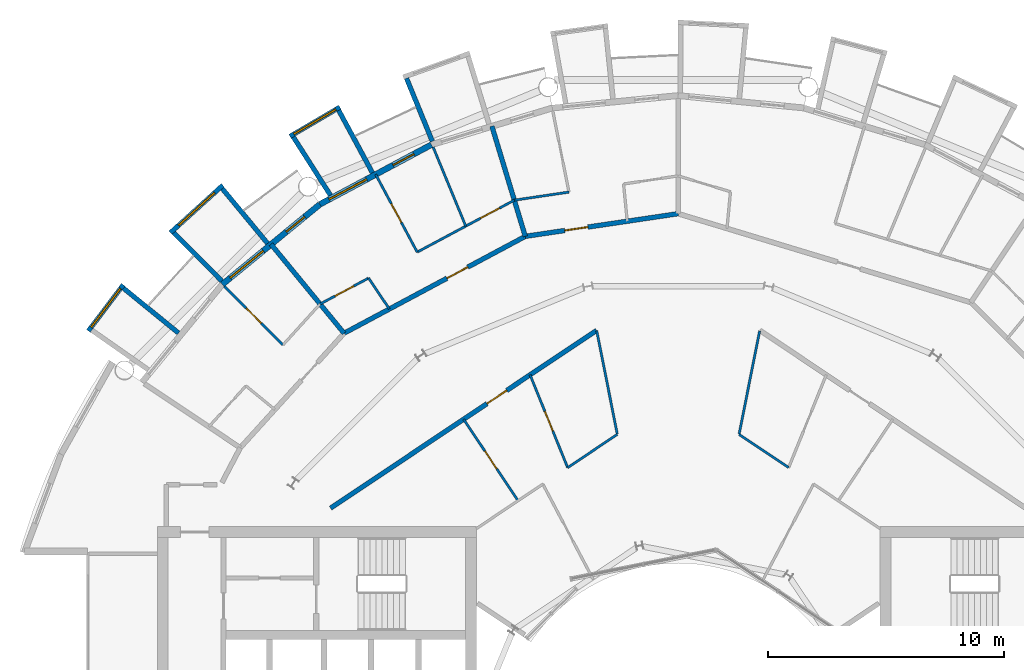
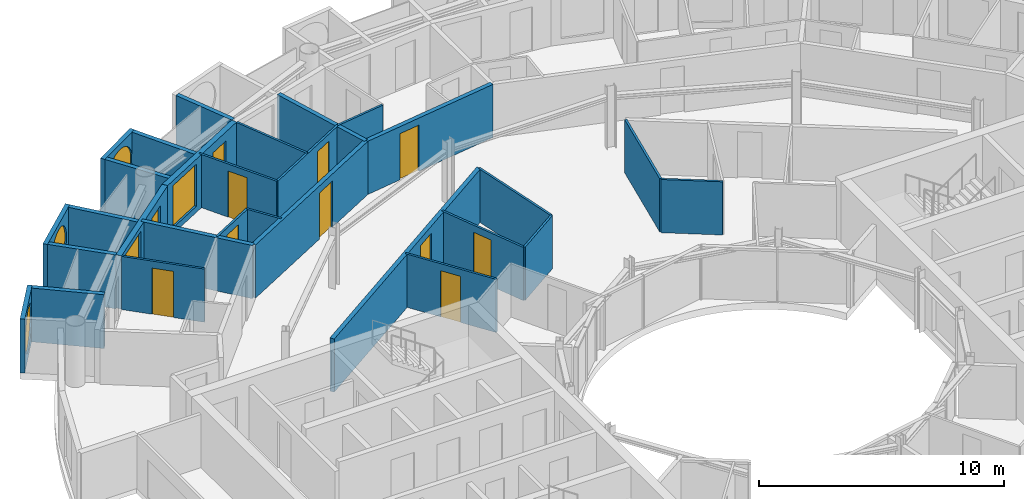
# One storey, part 21 of 28: 29 walls, 11 doors, 5 windows, 16 openings.
"""IFC4 building model written with IfcOpenShell, lengths in metres."""

from ifc_helpers import new_model, si_unit, direction, frame, frame_2d, origin, place, context, subcontext, project, spatial, rectangle, circle, extrude, material, layer, layer_set, type_object, element, fill, save


model = new_model("IFC4")

# Units and contexts
model_context = context("Model", 3, precision=1e-05, world=origin(), true_north=direction((0.0, 1.0)))
body_context = subcontext(model_context, "Body", "Model", "MODEL_VIEW")
ifc_project = project(units=[si_unit("LENGTHUNIT", "METRE"), si_unit("AREAUNIT", "SQUARE_METRE"), si_unit("VOLUMEUNIT", "CUBIC_METRE"), si_unit("PLANEANGLEUNIT", "RADIAN"), si_unit("MASSUNIT", "GRAM", prefix="KILO")], contexts=[model_context])

# Site, building, storey
site_placement = place(None, origin())
site = spatial("IfcSite", under=ifc_project, at=site_placement, CompositionType="ELEMENT")
building_placement = place(site_placement, origin())
building = spatial("IfcBuilding", under=site, at=building_placement, Name="Maasbend Ring Residences", CompositionType="ELEMENT")
storey_placement = place(building_placement, frame((0.0, 0.0, 218.800048828125)))
storey = spatial("IfcBuildingStorey", under=building, at=storey_placement, Name="L63", CompositionType="ELEMENT", Elevation=218.800048828125)

# Wall, opening, door
ifc_material_1 = material(Name="Concrete C30/37", Category="concrete")
ifc_layer_1 = layer(ifc_material_1, 0.199951171875)
ifc_layer_set_1 = layer_set([ifc_layer_1], Name="Concrete C30/37")
wall_type_1 = type_object("IfcWallType", Name="CORRIDOR WALL 200 CONCRETE", PredefinedType="PARTITIONING", material=ifc_layer_set_1)
wall_1_placement = place(storey_placement, frame((-14.718017578125, 9.83203125, 0.0), z_axis=(0.0, 0.0, 1.0), x_axis=(0.831437137577, 0.555618831806, 0.0)))
wall_1 = element("IfcWall", 1, at=wall_1_placement, inside=storey, type_object=wall_type_1, Name="U-L63-w097", PredefinedType="PARTITIONING", context=body_context, shape_type="SweptSolid", body=[
    extrude(rectangle(XDim=13.549072265625, YDim=0.199951171875, at=frame_2d((6.7744140625, 0.0))), origin(), (0.0, 0.0, 1.0), 2.64990234375),
])
opening_1_placement = place(wall_1_placement, frame((7.968017578125, 0.0, 0.0)))
opening_1 = element("IfcOpeningElement", 2, at=opening_1_placement, cuts=wall_1, Name="Opening D-6324", PredefinedType="OPENING", context=body_context, shape_type="SweptSolid", body=[
    extrude(rectangle(XDim=1.0, YDim=2.300048828125, at=frame_2d((0.5, 1.14990234375))), frame((0.0, 0.10986328125, 0.0), z_axis=(0.0, -1.0, 0.0), x_axis=(1.0, 0.0, 0.0)), (0.0, 0.0, 1.0), 0.219970703125),
])
ifc_material_2 = material(Name="Timber, fire-rated, painted", Category="wood")
door_type_1 = type_object("IfcDoorType", Name="FLAT ENTRANCE DOOR 1000 X 2300 FIRE-RATED", OperationType="NOTDEFINED", PredefinedType="DOOR", material=ifc_material_2)
door_1_placement = place(opening_1_placement, origin())
door_1 = element("IfcDoor", 3, at=door_1_placement, inside=storey, type_object=door_type_1, Name="D-6324", OperationType="SINGLE_SWING_RIGHT", OverallHeight=2.300048828125, OverallWidth=1.0, PredefinedType="DOOR", context=body_context, shape_type="SweptSolid", body=[
    extrude(rectangle(XDim=1.0, YDim=2.300048828125, at=frame_2d((0.5, 1.14990234375))), frame((0.0, 0.02490234375, 0.0), z_axis=(0.0, -1.0, 0.0), x_axis=(1.0, 0.0, 0.0)), (0.0, 0.0, 1.0), 0.050048828125),
])
fill(opening_1, door_1)

wall_2_placement = place(storey_placement, frame((-14.14697265625, 17.238037109375, 0.0), z_axis=(0.0, 0.0, 1.0), x_axis=(0.881912965532, 0.471412262491, 0.0)))
wall_2 = element("IfcWall", 4, at=wall_2_placement, inside=storey, type_object=wall_type_1, Name="U-L63-w102", PredefinedType="PARTITIONING", context=body_context, shape_type="SweptSolid", body=[
    extrude(rectangle(XDim=8.70166015625, YDim=0.199951171875, at=frame_2d((4.350830078125, 0.0))), origin(), (0.0, 0.0, 1.0), 2.64990234375),
])
opening_2_placement = place(wall_2_placement, frame((4.93701171875, 0.0, 0.0)))
opening_2 = element("IfcOpeningElement", 5, at=opening_2_placement, cuts=wall_2, Name="Opening D-6313", PredefinedType="OPENING", context=body_context, shape_type="SweptSolid", body=[
    extrude(rectangle(XDim=1.0, YDim=2.300048828125, at=frame_2d((0.5, 1.14990234375))), frame((0.0, 0.10986328125, 0.0), z_axis=(0.0, -1.0, 0.0), x_axis=(1.0, 0.0, 0.0)), (0.0, 0.0, 1.0), 0.219970703125),
])
door_2_placement = place(opening_2_placement, origin())
door_2 = element("IfcDoor", 6, at=door_2_placement, inside=storey, type_object=door_type_1, Name="D-6313", OperationType="SINGLE_SWING_RIGHT", OverallHeight=2.300048828125, OverallWidth=1.0, PredefinedType="DOOR", context=body_context, shape_type="SweptSolid", body=[
    extrude(rectangle(XDim=1.0, YDim=2.300048828125, at=frame_2d((0.5, 1.14990234375))), frame((0.0, 0.02490234375, 0.0), z_axis=(0.0, -1.0, 0.0), x_axis=(1.0, 0.0, 0.0)), (0.0, 0.0, 1.0), 0.050048828125),
])
fill(opening_2, door_2)

wall_3_placement = place(storey_placement, frame((-6.472900390625, 21.340087890625, 0.0), z_axis=(0.0, 0.0, 1.0), x_axis=(0.989181015112, 0.146700100005, 0.0)))
wall_3 = element("IfcWall", 7, at=wall_3_placement, inside=storey, type_object=wall_type_1, Name="U-L63-w105", PredefinedType="PARTITIONING", context=body_context, shape_type="SweptSolid", body=[
    extrude(rectangle(XDim=6.543701171875, YDim=0.199951171875, at=frame_2d((3.27197265625, 0.0))), origin(), (0.0, 0.0, 1.0), 2.64990234375),
])
opening_3_placement = place(wall_3_placement, frame((1.680908203125, 0.0, 0.0)))
opening_3 = element("IfcOpeningElement", 8, at=opening_3_placement, cuts=wall_3, Name="Opening D-6310", PredefinedType="OPENING", context=body_context, shape_type="SweptSolid", body=[
    extrude(rectangle(XDim=1.0, YDim=2.300048828125, at=frame_2d((0.5, 1.14990234375))), frame((0.0, 0.10986328125, 0.0), z_axis=(0.0, -1.0, 0.0), x_axis=(1.0, 0.0, 0.0)), (0.0, 0.0, 1.0), 0.219970703125),
])
door_3_placement = place(opening_3_placement, origin())
door_3 = element("IfcDoor", 9, at=door_3_placement, inside=storey, type_object=door_type_1, Name="D-6310", OperationType="SINGLE_SWING_LEFT", OverallHeight=2.300048828125, OverallWidth=1.0, PredefinedType="DOOR", context=body_context, shape_type="SweptSolid", body=[
    extrude(rectangle(XDim=1.0, YDim=2.300048828125, at=frame_2d((0.5, 1.14990234375))), frame((0.0, 0.02490234375, 0.0), z_axis=(0.0, -1.0, 0.0), x_axis=(1.0, 0.0, 0.0)), (0.0, 0.0, 1.0), 0.050048828125),
])
fill(opening_3, door_3)

# Wall
ifc_material_3 = material(Name="Pale anodised aluminium panel", Category="aluminium")
ifc_layer_2 = layer(ifc_material_3, 0.199951171875)
ifc_layer_set_2 = layer_set([ifc_layer_2], Name="EW-BOX")
wall_type_2 = type_object("IfcWallType", Name="EW-BOX", PredefinedType="SOLIDWALL", material=ifc_layer_set_2)
wall_4_placement = place(storey_placement, frame((-10.408935546875, 25.364013671875, -0.030029296875), z_axis=(0.0, 0.0, 1.0), x_axis=(-0.379509886562, 0.925187681501, 0.0)))
element("IfcWall", 10, at=wall_4_placement, inside=storey, type_object=wall_type_2, Name="Box side wall N14 right", PredefinedType="SOLIDWALL", context=body_context, shape_type="SweptSolid", body=[
    extrude(rectangle(XDim=2.882568359375, YDim=0.199951171875, at=frame_2d((1.44140625, 0.0))), origin(), (0.0, 0.0, 1.0), 2.679931640625),
])

# Wall, opening, window
wall_5_placement = place(storey_placement, frame((-14.326904296875, 26.81201171875, -0.030029296875), z_axis=(0.0, 0.0, 1.0), x_axis=(-0.862403467503, -0.506221551535, 0.0)))
wall_5 = element("IfcWall", 11, at=wall_5_placement, inside=storey, type_object=wall_type_2, Name="Box front N16", PredefinedType="SOLIDWALL", context=body_context, shape_type="SweptSolid", body=[
    extrude(rectangle(XDim=2.445556640625, YDim=0.199951171875, at=frame_2d((1.22265625, 0.0))), origin(), (0.0, 0.0, 1.0), 2.679931640625),
])
opening_4_placement = place(wall_5_placement, frame((0.182861328125, 0.0, 0.330078125)))
opening_4 = element("IfcOpeningElement", 12, at=opening_4_placement, cuts=wall_5, Name="Opening W-RD", PredefinedType="OPENING", context=body_context, shape_type="SweptSolid", body=[
    extrude(circle(Radius=1.0400390625, at=frame_2d((1.0400390625, 1.0400390625))), frame((0.0, 0.10986328125, 0.0), z_axis=(0.0, -1.0, 0.0), x_axis=(1.0, 0.0, 0.0)), (0.0, 0.0, 1.0), 0.219970703125),
])
ifc_material_4 = material(Name="Aluminium and clear glass", Category="aluminium")
window_type_1 = type_object("IfcWindowType", Name="W-RD", PartitioningType="SINGLE_PANEL", PredefinedType="WINDOW", material=ifc_material_4)
window_1_placement = place(opening_4_placement, origin())
window_1 = element("IfcWindow", 13, at=window_1_placement, inside=storey, type_object=window_type_1, Name="Round window N16", OverallHeight=2.080078125, OverallWidth=2.080078125, PartitioningType="SINGLE_PANEL", PredefinedType="WINDOW", context=body_context, shape_type="SweptSolid", body=[
    extrude(circle(Radius=1.0400390625, at=frame_2d((1.0400390625, 1.0400390625))), frame((0.0, 0.030029296875, 0.0), z_axis=(0.0, -1.0, 0.0), x_axis=(1.0, 0.0, 0.0)), (0.0, 0.0, 1.0), 0.06005859375),
])
fill(opening_4, window_1)

# Walls
wall_6_placement = place(storey_placement, frame((-12.945068359375, 24.029052734375, -0.030029296875), z_axis=(0.0, 0.0, 1.0), x_axis=(-0.474424310775, 0.88029629861, 0.0)))
element("IfcWall", 14, at=wall_6_placement, inside=storey, type_object=wall_type_2, Name="Box side wall N16 left", PredefinedType="SOLIDWALL", context=body_context, shape_type="SweptSolid", body=[
    extrude(rectangle(XDim=3.005859375, YDim=0.199951171875, at=frame_2d((1.5029296875, 0.0))), origin(), (0.0, 0.0, 1.0), 2.679931640625),
])
wall_7_placement = place(storey_placement, frame((-14.721923828125, 23.0791015625, -0.030029296875), z_axis=(0.0, 0.0, 1.0), x_axis=(-0.537572179146, 0.843217737129, 0.0)))
element("IfcWall", 15, at=wall_7_placement, inside=storey, type_object=wall_type_2, Name="Box side wall N16 right", PredefinedType="SOLIDWALL", context=body_context, shape_type="SweptSolid", body=[
    extrude(rectangle(XDim=2.92431640625, YDim=0.199951171875, at=frame_2d((1.462158203125, 0.0))), origin(), (0.0, 0.0, 1.0), 2.679931640625),
])

# Wall, opening, window
wall_8_placement = place(storey_placement, frame((-19.281982421875, 23.5029296875, -0.030029296875), z_axis=(0.0, 0.0, 1.0), x_axis=(-0.740998365753, -0.671506829416, 0.0)))
wall_8 = element("IfcWall", 16, at=wall_8_placement, inside=storey, type_object=wall_type_2, Name="Box front N18", PredefinedType="SOLIDWALL", context=body_context, shape_type="SweptSolid", body=[
    extrude(rectangle(XDim=2.9931640625, YDim=0.199951171875, at=frame_2d((1.49658203125, 0.0))), origin(), (0.0, 0.0, 1.0), 2.679931640625),
])
opening_5_placement = place(wall_8_placement, frame((0.45654296875, 0.0, 0.330078125)))
opening_5 = element("IfcOpeningElement", 17, at=opening_5_placement, cuts=wall_8, Name="Opening W-RD", PredefinedType="OPENING", context=body_context, shape_type="SweptSolid", body=[
    extrude(circle(Radius=1.0400390625, at=frame_2d((1.0400390625, 1.0400390625))), frame((0.0, 0.10986328125, 0.0), z_axis=(0.0, -1.0, 0.0), x_axis=(1.0, 0.0, 0.0)), (0.0, 0.0, 1.0), 0.219970703125),
])
window_2_placement = place(opening_5_placement, origin())
window_2 = element("IfcWindow", 18, at=window_2_placement, inside=storey, type_object=window_type_1, Name="Round window N18", OverallHeight=2.080078125, OverallWidth=2.080078125, PartitioningType="SINGLE_PANEL", PredefinedType="WINDOW", context=body_context, shape_type="SweptSolid", body=[
    extrude(circle(Radius=1.0400390625, at=frame_2d((1.0400390625, 1.0400390625))), frame((0.0, 0.030029296875, 0.0), z_axis=(0.0, -1.0, 0.0), x_axis=(1.0, 0.0, 0.0)), (0.0, 0.0, 1.0), 0.06005859375),
])
fill(opening_5, window_2)

# Walls
wall_9_placement = place(storey_placement, frame((-17.384033203125, 21.041015625, -0.030029296875), z_axis=(0.0, 0.0, 1.0), x_axis=(-0.63709551667, 0.770784861449, 0.0)))
element("IfcWall", 19, at=wall_9_placement, inside=storey, type_object=wall_type_2, Name="Box side wall N18 left", PredefinedType="SOLIDWALL", context=body_context, shape_type="SweptSolid", body=[
    extrude(rectangle(XDim=3.005859375, YDim=0.199951171875, at=frame_2d((1.5029296875, 0.0))), origin(), (0.0, 0.0, 1.0), 2.679931640625),
])
wall_10_placement = place(storey_placement, frame((-19.322998046875, 19.449951171875, -0.030029296875), z_axis=(0.0, 0.0, 1.0), x_axis=(-0.704476739375, 0.709727076896, 0.0)))
element("IfcWall", 20, at=wall_10_placement, inside=storey, type_object=wall_type_2, Name="Box side wall N18 right", PredefinedType="SOLIDWALL", context=body_context, shape_type="SweptSolid", body=[
    extrude(rectangle(XDim=2.883056640625, YDim=0.199951171875, at=frame_2d((1.44140625, 0.0))), origin(), (0.0, 0.0, 1.0), 2.679931640625),
])

# Wall, opening, window
wall_11_placement = place(storey_placement, frame((-23.4970703125, 19.2890625, -0.030029296875), z_axis=(0.0, 0.0, 1.0), x_axis=(-0.602806268067, -0.797887588059, 0.0)))
wall_11 = element("IfcWall", 21, at=wall_11_placement, inside=storey, type_object=wall_type_2, Name="Box front N20", PredefinedType="SOLIDWALL", context=body_context, shape_type="SweptSolid", body=[
    extrude(rectangle(XDim=2.446533203125, YDim=0.199951171875, at=frame_2d((1.22314453125, 0.0))), origin(), (0.0, 0.0, 1.0), 2.679931640625),
])
opening_6_placement = place(wall_11_placement, frame((0.182861328125, 0.0, 0.330078125)))
opening_6 = element("IfcOpeningElement", 22, at=opening_6_placement, cuts=wall_11, Name="Opening W-RD", PredefinedType="OPENING", context=body_context, shape_type="SweptSolid", body=[
    extrude(circle(Radius=1.0400390625, at=frame_2d((1.0400390625, 1.0400390625))), frame((0.0, 0.10986328125, 0.0), z_axis=(0.0, -1.0, 0.0), x_axis=(1.0, 0.0, 0.0)), (0.0, 0.0, 1.0), 0.219970703125),
])
window_3_placement = place(opening_6_placement, origin())
window_3 = element("IfcWindow", 23, at=window_3_placement, inside=storey, type_object=window_type_1, Name="Round window N20", OverallHeight=2.080078125, OverallWidth=2.080078125, PartitioningType="SINGLE_PANEL", PredefinedType="WINDOW", context=body_context, shape_type="SweptSolid", body=[
    extrude(circle(Radius=1.0400390625, at=frame_2d((1.0400390625, 1.0400390625))), frame((0.0, 0.030029296875, 0.0), z_axis=(0.0, -1.0, 0.0), x_axis=(1.0, 0.0, 0.0)), (0.0, 0.0, 1.0), 0.06005859375),
])
fill(opening_6, window_3)

# Wall
wall_12_placement = place(storey_placement, frame((-21.155029296875, 17.24609375, -0.030029296875), z_axis=(0.0, 0.0, 1.0), x_axis=(-0.775179004516, 0.631741648902, 0.0)))
element("IfcWall", 24, at=wall_12_placement, inside=storey, type_object=wall_type_2, Name="Box side wall N20 left", PredefinedType="SOLIDWALL", context=body_context, shape_type="SweptSolid", body=[
    extrude(rectangle(XDim=3.005859375, YDim=0.199951171875, at=frame_2d((1.5029296875, 0.0))), origin(), (0.0, 0.0, 1.0), 2.679931640625),
])

# Wall, openings, door, window
ifc_material_5 = material(Name="Aluminium clad insulated panel", Category="aluminium")
ifc_layer_3 = layer(ifc_material_5, 0.25)
ifc_layer_set_3 = layer_set([ifc_layer_3], Name="EW-GL")
wall_type_3 = type_object("IfcWallType", Name="EW-GL", PredefinedType="SOLIDWALL", material=ifc_layer_set_3)
wall_13_placement = place(storey_placement, frame((-10.447021484375, 25.221923828125, 0.0), z_axis=(0.0, 0.0, 1.0), x_axis=(-0.881915646801, -0.471407246368, 0.0)))
wall_13 = element("IfcWall", 25, at=wall_13_placement, inside=storey, type_object=wall_type_3, Name="External wall N08", PredefinedType="SOLIDWALL", context=body_context, shape_type="SweptSolid", body=[
    extrude(rectangle(XDim=5.35205078125, YDim=0.25, at=frame_2d((2.676025390625, 0.0))), origin(), (0.0, 0.0, 1.0), 2.64990234375),
])
opening_7_placement = place(wall_13_placement, frame((0.841064453125, 0.0, 0.0)))
opening_7 = element("IfcOpeningElement", 26, at=opening_7_placement, cuts=wall_13, Name="Opening D-LG", PredefinedType="OPENING", context=body_context, shape_type="SweptSolid", body=[
    extrude(rectangle(XDim=1.0, YDim=2.199951171875, at=frame_2d((0.5, 1.10009765625))), frame((0.0, 0.135009765625, 0.0), z_axis=(0.0, -1.0, 0.0), x_axis=(1.0, 0.0, 0.0)), (0.0, 0.0, 1.0), 0.27001953125),
])
opening_8_placement = place(wall_13_placement, frame((3.110595703125, 0.0, 0.300048828125)))
opening_8 = element("IfcOpeningElement", 27, at=opening_8_placement, cuts=wall_13, Name="Opening W-BX", PredefinedType="OPENING", context=body_context, shape_type="SweptSolid", body=[
    extrude(rectangle(XDim=1.800048828125, YDim=2.10009765625, at=frame_2d((0.89990234375, 1.050048828125))), frame((0.0, 0.135009765625, 0.0), z_axis=(0.0, -1.0, 0.0), x_axis=(1.0, 0.0, 0.0)), (0.0, 0.0, 1.0), 0.27001953125),
])
ifc_material_6 = material(Name="Aluminium and clear glass", Category="aluminium")
door_type_2 = type_object("IfcDoorType", Name="D-LG", OperationType="SINGLE_SWING_LEFT", PredefinedType="DOOR", material=ifc_material_6)
door_4_placement = place(opening_7_placement, origin())
door_4 = element("IfcDoor", 28, at=door_4_placement, inside=storey, type_object=door_type_2, Name="Loggia door N15", OperationType="SINGLE_SWING_LEFT", OverallHeight=2.199951171875, OverallWidth=1.0, PredefinedType="DOOR", context=body_context, shape_type="SweptSolid", body=[
    extrude(rectangle(XDim=1.0, YDim=2.199951171875, at=frame_2d((0.5, 1.10009765625))), frame((0.0, 0.02490234375, 0.0), z_axis=(0.0, -1.0, 0.0), x_axis=(1.0, 0.0, 0.0)), (0.0, 0.0, 1.0), 0.050048828125),
])
fill(opening_7, door_4)
ifc_material_7 = material(Name="Aluminium and clear glass", Category="aluminium")
window_type_2 = type_object("IfcWindowType", Name="W-BX", PartitioningType="DOUBLE_PANEL_VERTICAL", PredefinedType="WINDOW", material=ifc_material_7)
window_4_placement = place(opening_8_placement, origin())
window_4 = element("IfcWindow", 29, at=window_4_placement, inside=storey, type_object=window_type_2, Name="Window N16 room to box", OverallHeight=2.10009765625, OverallWidth=1.800048828125, PartitioningType="SINGLE_PANEL", PredefinedType="WINDOW", context=body_context, shape_type="SweptSolid", body=[
    extrude(rectangle(XDim=1.800048828125, YDim=2.10009765625, at=frame_2d((0.89990234375, 1.050048828125))), frame((0.0, 0.030029296875, 0.0), z_axis=(0.0, -1.0, 0.0), x_axis=(1.0, 0.0, 0.0)), (0.0, 0.0, 1.0), 0.06005859375),
])
fill(opening_8, window_4)

wall_14_placement = place(storey_placement, frame((-15.1669921875, 22.698974609375, 0.0), z_axis=(0.0, 0.0, 1.0), x_axis=(-0.773019449054, -0.634382322723, 0.0)))
wall_14 = element("IfcWall", 30, at=wall_14_placement, inside=storey, type_object=wall_type_3, Name="External wall N09", PredefinedType="SOLIDWALL", context=body_context, shape_type="SweptSolid", body=[
    extrude(rectangle(XDim=5.351806640625, YDim=0.25, at=frame_2d((2.67578125, 0.0))), origin(), (0.0, 0.0, 1.0), 2.64990234375),
])
opening_9_placement = place(wall_14_placement, frame((0.841064453125, 0.0, 0.0)))
opening_9 = element("IfcOpeningElement", 31, at=opening_9_placement, cuts=wall_14, Name="Opening D-LG", PredefinedType="OPENING", context=body_context, shape_type="SweptSolid", body=[
    extrude(rectangle(XDim=1.0, YDim=2.199951171875, at=frame_2d((0.5, 1.10009765625))), frame((0.0, 0.135009765625, 0.0), z_axis=(0.0, -1.0, 0.0), x_axis=(1.0, 0.0, 0.0)), (0.0, 0.0, 1.0), 0.27001953125),
])
opening_10_placement = place(wall_14_placement, frame((3.110595703125, 0.0, 0.300048828125)))
opening_10 = element("IfcOpeningElement", 32, at=opening_10_placement, cuts=wall_14, Name="Opening W-BX", PredefinedType="OPENING", context=body_context, shape_type="SweptSolid", body=[
    extrude(rectangle(XDim=1.800048828125, YDim=2.10009765625, at=frame_2d((0.89990234375, 1.050048828125))), frame((0.0, 0.135009765625, 0.0), z_axis=(0.0, -1.0, 0.0), x_axis=(1.0, 0.0, 0.0)), (0.0, 0.0, 1.0), 0.27001953125),
])
door_5_placement = place(opening_9_placement, origin())
door_5 = element("IfcDoor", 33, at=door_5_placement, inside=storey, type_object=door_type_2, Name="Loggia door N17", OperationType="SINGLE_SWING_LEFT", OverallHeight=2.199951171875, OverallWidth=1.0, PredefinedType="DOOR", context=body_context, shape_type="SweptSolid", body=[
    extrude(rectangle(XDim=1.0, YDim=2.199951171875, at=frame_2d((0.5, 1.10009765625))), frame((0.0, 0.02490234375, 0.0), z_axis=(0.0, -1.0, 0.0), x_axis=(1.0, 0.0, 0.0)), (0.0, 0.0, 1.0), 0.050048828125),
])
fill(opening_9, door_5)
window_5_placement = place(opening_10_placement, origin())
window_5 = element("IfcWindow", 34, at=window_5_placement, inside=storey, type_object=window_type_2, Name="Window N18 room to box", OverallHeight=2.10009765625, OverallWidth=1.800048828125, PartitioningType="SINGLE_PANEL", PredefinedType="WINDOW", context=body_context, shape_type="SweptSolid", body=[
    extrude(rectangle(XDim=1.800048828125, YDim=2.10009765625, at=frame_2d((0.89990234375, 1.050048828125))), frame((0.0, 0.030029296875, 0.0), z_axis=(0.0, -1.0, 0.0), x_axis=(1.0, 0.0, 0.0)), (0.0, 0.0, 1.0), 0.06005859375),
])
fill(opening_10, window_5)

# Wall, opening, door
ifc_material_8 = material(Name="Gypsum board on steel studs", Category="steel")
ifc_layer_4 = layer(ifc_material_8, 0.10009765625)
ifc_layer_set_4 = layer_set([ifc_layer_4], Name="PARTITION 100 GYPSUM")
wall_type_4 = type_object("IfcWallType", Name="PARTITION 100 GYPSUM", PredefinedType="PARTITIONING", material=ifc_layer_set_4)
wall_15_placement = place(storey_placement, frame((-19.2099609375, 19.221923828125, 0.0), z_axis=(0.0, 0.0, 1.0), x_axis=(0.706967463531, -0.707246071398, 0.0)))
wall_15 = element("IfcWall", 35, at=wall_15_placement, inside=storey, type_object=wall_type_4, Name="U-L63-w037", PredefinedType="PARTITIONING", context=body_context, shape_type="SweptSolid", body=[
    extrude(rectangle(XDim=3.505126953125, YDim=0.10009765625, at=frame_2d((1.75244140625, 0.0))), origin(), (0.0, 0.0, 1.0), 2.64990234375),
])
opening_11_placement = place(wall_15_placement, frame((1.302978515625, 0.0, 0.0)))
opening_11 = element("IfcOpeningElement", 36, at=opening_11_placement, cuts=wall_15, Name="Opening D-6319", PredefinedType="OPENING", context=body_context, shape_type="SweptSolid", body=[
    extrude(rectangle(XDim=0.89990234375, YDim=2.300048828125, at=frame_2d((0.449951171875, 1.14990234375))), frame((0.0, 0.06005859375, 0.0), z_axis=(0.0, -1.0, 0.0), x_axis=(1.0, 0.0, 0.0)), (0.0, 0.0, 1.0), 0.1201171875),
])
ifc_material_9 = material(Name="Timber, painted", Category="wood")
door_type_3 = type_object("IfcDoorType", Name="INTERNAL DOOR 900 X 2300", OperationType="NOTDEFINED", PredefinedType="DOOR", material=ifc_material_9)
door_6_placement = place(opening_11_placement, origin())
door_6 = element("IfcDoor", 37, at=door_6_placement, inside=storey, type_object=door_type_3, Name="D-6319", OperationType="SINGLE_SWING_LEFT", OverallHeight=2.300048828125, OverallWidth=0.89990234375, PredefinedType="DOOR", context=body_context, shape_type="SweptSolid", body=[
    extrude(rectangle(XDim=0.89990234375, YDim=2.300048828125, at=frame_2d((0.449951171875, 1.14990234375))), frame((0.0, 0.02490234375, 0.0), z_axis=(0.0, -1.0, 0.0), x_axis=(1.0, 0.0, 0.0)), (0.0, 0.0, 1.0), 0.050048828125),
])
fill(opening_11, door_6)

# Wall
wall_16_placement = place(storey_placement, frame((-13.10595703125, 19.573974609375, 0.0), z_axis=(0.0, 0.0, 1.0), x_axis=(0.556271671389, -0.83100049796, 0.0)))
element("IfcWall", 38, at=wall_16_placement, inside=storey, type_object=wall_type_4, Name="U-L63-w042", PredefinedType="PARTITIONING", context=body_context, shape_type="SweptSolid", body=[
    extrude(rectangle(XDim=1.576416015625, YDim=0.10009765625, at=frame_2d((0.7880859375, 0.0))), origin(), (0.0, 0.0, 1.0), 2.64990234375),
])

# Wall, opening, door
wall_17_placement = place(storey_placement, frame((-12.81005859375, 23.966064453125, 0.0), z_axis=(0.0, 0.0, 1.0), x_axis=(0.471372010014, -0.881934480659, 0.0)))
wall_17 = element("IfcWall", 39, at=wall_17_placement, inside=storey, type_object=wall_type_4, Name="U-L63-w044", PredefinedType="PARTITIONING", context=body_context, shape_type="SweptSolid", body=[
    extrude(rectangle(XDim=3.73388671875, YDim=0.10009765625, at=frame_2d((1.866943359375, 0.0))), origin(), (0.0, 0.0, 1.0), 2.64990234375),
])
opening_12_placement = place(wall_17_placement, frame((1.4169921875, 0.0, 0.0)))
opening_12 = element("IfcOpeningElement", 40, at=opening_12_placement, cuts=wall_17, Name="Opening D-6315", PredefinedType="OPENING", context=body_context, shape_type="SweptSolid", body=[
    extrude(rectangle(XDim=0.89990234375, YDim=2.300048828125, at=frame_2d((0.449951171875, 1.14990234375))), frame((0.0, 0.06005859375, 0.0), z_axis=(0.0, -1.0, 0.0), x_axis=(1.0, 0.0, 0.0)), (0.0, 0.0, 1.0), 0.1201171875),
])
door_7_placement = place(opening_12_placement, origin())
door_7 = element("IfcDoor", 41, at=door_7_placement, inside=storey, type_object=door_type_3, Name="D-6315", OperationType="SINGLE_SWING_RIGHT", OverallHeight=2.300048828125, OverallWidth=0.89990234375, PredefinedType="DOOR", context=body_context, shape_type="SweptSolid", body=[
    extrude(rectangle(XDim=0.89990234375, YDim=2.300048828125, at=frame_2d((0.449951171875, 1.14990234375))), frame((0.0, 0.02490234375, 0.0), z_axis=(0.0, -1.0, 0.0), x_axis=(1.0, 0.0, 0.0)), (0.0, 0.0, 1.0), 0.050048828125),
])
fill(opening_12, door_7)

# Wall
wall_18_placement = place(storey_placement, frame((-10.375, 25.115966796875, 0.0), z_axis=(0.0, 0.0, 1.0), x_axis=(0.381733837918, -0.924272295911, 0.0)))
element("IfcWall", 42, at=wall_18_placement, inside=storey, type_object=wall_type_4, Name="U-L63-w046", PredefinedType="PARTITIONING", context=body_context, shape_type="SweptSolid", body=[
    extrude(rectangle(XDim=3.617919921875, YDim=0.10009765625, at=frame_2d((1.80908203125, 0.0))), origin(), (0.0, 0.0, 1.0), 2.64990234375),
])

# Wall, opening, door
wall_19_placement = place(storey_placement, frame((-9.0849609375, 13.596923828125, 0.0), z_axis=(0.0, 0.0, 1.0), x_axis=(0.555528237031, -0.831497671591, 0.0)))
wall_19 = element("IfcWall", 43, at=wall_19_placement, inside=storey, type_object=wall_type_4, Name="U-L63-w047", PredefinedType="PARTITIONING", context=body_context, shape_type="SweptSolid", body=[
    extrude(rectangle(XDim=4.149169921875, YDim=0.10009765625, at=frame_2d((2.07470703125, 0.0))), origin(), (0.0, 0.0, 1.0), 2.64990234375),
])
opening_13_placement = place(wall_19_placement, frame((1.625, 0.0, 0.0)))
opening_13 = element("IfcOpeningElement", 44, at=opening_13_placement, cuts=wall_19, Name="Opening D-6326", PredefinedType="OPENING", context=body_context, shape_type="SweptSolid", body=[
    extrude(rectangle(XDim=0.89990234375, YDim=2.300048828125, at=frame_2d((0.449951171875, 1.14990234375))), frame((0.0, 0.06005859375, 0.0), z_axis=(0.0, -1.0, 0.0), x_axis=(1.0, 0.0, 0.0)), (0.0, 0.0, 1.0), 0.1201171875),
])
door_8_placement = place(opening_13_placement, origin())
door_8 = element("IfcDoor", 45, at=door_8_placement, inside=storey, type_object=door_type_3, Name="D-6326", OperationType="SINGLE_SWING_LEFT", OverallHeight=2.300048828125, OverallWidth=0.89990234375, PredefinedType="DOOR", context=body_context, shape_type="SweptSolid", body=[
    extrude(rectangle(XDim=0.89990234375, YDim=2.300048828125, at=frame_2d((0.449951171875, 1.14990234375))), frame((0.0, 0.02490234375, 0.0), z_axis=(0.0, -1.0, 0.0), x_axis=(1.0, 0.0, 0.0)), (0.0, 0.0, 1.0), 0.050048828125),
])
fill(opening_13, door_8)

wall_20_placement = place(storey_placement, frame((-6.27197265625, 15.47705078125, 0.0), z_axis=(0.0, 0.0, 1.0), x_axis=(0.375509828455, -0.926818411952, 0.0)))
wall_20 = element("IfcWall", 46, at=wall_20_placement, inside=storey, type_object=wall_type_4, Name="U-L63-w052", PredefinedType="PARTITIONING", context=body_context, shape_type="SweptSolid", body=[
    extrude(rectangle(XDim=4.237060546875, YDim=0.10009765625, at=frame_2d((2.11865234375, 0.0))), origin(), (0.0, 0.0, 1.0), 2.64990234375),
])
opening_14_placement = place(wall_20_placement, frame((1.6689453125, 0.0, 0.0)))
opening_14 = element("IfcOpeningElement", 47, at=opening_14_placement, cuts=wall_20, Name="Opening D-6325", PredefinedType="OPENING", context=body_context, shape_type="SweptSolid", body=[
    extrude(rectangle(XDim=0.89990234375, YDim=2.300048828125, at=frame_2d((0.449951171875, 1.14990234375))), frame((0.0, 0.06005859375, 0.0), z_axis=(0.0, -1.0, 0.0), x_axis=(1.0, 0.0, 0.0)), (0.0, 0.0, 1.0), 0.1201171875),
])
door_9_placement = place(opening_14_placement, origin())
door_9 = element("IfcDoor", 48, at=door_9_placement, inside=storey, type_object=door_type_3, Name="D-6325", OperationType="SINGLE_SWING_RIGHT", OverallHeight=2.300048828125, OverallWidth=0.89990234375, PredefinedType="DOOR", context=body_context, shape_type="SweptSolid", body=[
    extrude(rectangle(XDim=0.89990234375, YDim=2.300048828125, at=frame_2d((0.449951171875, 1.14990234375))), frame((0.0, 0.02490234375, 0.0), z_axis=(0.0, -1.0, 0.0), x_axis=(1.0, 0.0, 0.0)), (0.0, 0.0, 1.0), 0.050048828125),
])
fill(opening_14, door_9)

# Walls
for number, where, z_axis, x_axis, name in (
    (49, (-4.677978515625, 11.551025390625, 0.0), (0.0, 0.0, 1.0), (0.831440395268, 0.555613956912, 0.0), "U-L63-w094"),
    (50, (2.576904296875, 12.955078125, 0.0), (0.0, 0.0, 1.0), (0.831440395268, -0.555613956912, 0.0), "U-L63-w095"),
):
    element("IfcWall", number, at=place(storey_placement, frame(where, z_axis=z_axis, x_axis=x_axis)), inside=storey, type_object=wall_type_4, Name=name, PredefinedType="PARTITIONING", context=body_context, shape_type="SweptSolid", body=[
        extrude(rectangle(XDim=2.527099609375, YDim=0.10009765625, at=frame_2d((1.263671875, 0.0))), origin(), (0.0, 0.0, 1.0), 2.64990234375),
    ])

# Wall, opening, door
wall_21_placement = place(storey_placement, frame((-15.162109375, 18.47509765625, 0.0), z_axis=(0.0, 0.0, 1.0), x_axis=(0.881949682246, 0.471343566824, 0.0)))
wall_21 = element("IfcWall", 51, at=wall_21_placement, inside=storey, type_object=wall_type_4, Name="U-L63-w110", PredefinedType="PARTITIONING", context=body_context, shape_type="SweptSolid", body=[
    extrude(rectangle(XDim=2.331298828125, YDim=0.10009765625, at=frame_2d((1.16552734375, 0.0))), origin(), (0.0, 0.0, 1.0), 2.64990234375),
])
opening_15_placement = place(wall_21_placement, frame((0.716064453125, 0.0, 0.0)))
opening_15 = element("IfcOpeningElement", 52, at=opening_15_placement, cuts=wall_21, Name="Opening D-6314", PredefinedType="OPENING", context=body_context, shape_type="SweptSolid", body=[
    extrude(rectangle(XDim=0.89990234375, YDim=2.300048828125, at=frame_2d((0.449951171875, 1.14990234375))), frame((0.0, 0.06005859375, 0.0), z_axis=(0.0, -1.0, 0.0), x_axis=(1.0, 0.0, 0.0)), (0.0, 0.0, 1.0), 0.1201171875),
])
door_10_placement = place(opening_15_placement, origin())
door_10 = element("IfcDoor", 53, at=door_10_placement, inside=storey, type_object=door_type_3, Name="D-6314", OperationType="SINGLE_SWING_LEFT", OverallHeight=2.300048828125, OverallWidth=0.89990234375, PredefinedType="DOOR", context=body_context, shape_type="SweptSolid", body=[
    extrude(rectangle(XDim=0.89990234375, YDim=2.300048828125, at=frame_2d((0.449951171875, 1.14990234375))), frame((0.0, 0.02490234375, 0.0), z_axis=(0.0, -1.0, 0.0), x_axis=(1.0, 0.0, 0.0)), (0.0, 0.0, 1.0), 0.050048828125),
])
fill(opening_15, door_10)

wall_22_placement = place(storey_placement, frame((-11.050048828125, 20.673095703125, 0.0), z_axis=(0.0, 0.0, 1.0), x_axis=(0.881916280728, 0.471406060405, 0.0)))
wall_22 = element("IfcWall", 54, at=wall_22_placement, inside=storey, type_object=wall_type_4, Name="U-L63-w111", PredefinedType="PARTITIONING", context=body_context, shape_type="SweptSolid", body=[
    extrude(rectangle(XDim=4.66259765625, YDim=0.10009765625, at=frame_2d((2.331298828125, 0.0))), origin(), (0.0, 0.0, 1.0), 2.64990234375),
])
opening_16_placement = place(wall_22_placement, frame((3.047119140625, 0.0, 0.0)))
opening_16 = element("IfcOpeningElement", 55, at=opening_16_placement, cuts=wall_22, Name="Opening D-6316", PredefinedType="OPENING", context=body_context, shape_type="SweptSolid", body=[
    extrude(rectangle(XDim=0.89990234375, YDim=2.300048828125, at=frame_2d((0.449951171875, 1.14990234375))), frame((0.0, 0.06005859375, 0.0), z_axis=(0.0, -1.0, 0.0), x_axis=(1.0, 0.0, 0.0)), (0.0, 0.0, 1.0), 0.1201171875),
])
door_11_placement = place(opening_16_placement, origin())
door_11 = element("IfcDoor", 56, at=door_11_placement, inside=storey, type_object=door_type_3, Name="D-6316", OperationType="SINGLE_SWING_RIGHT", OverallHeight=2.300048828125, OverallWidth=0.89990234375, PredefinedType="DOOR", context=body_context, shape_type="SweptSolid", body=[
    extrude(rectangle(XDim=0.89990234375, YDim=2.300048828125, at=frame_2d((0.449951171875, 1.14990234375))), frame((0.0, 0.02490234375, 0.0), z_axis=(0.0, -1.0, 0.0), x_axis=(1.0, 0.0, 0.0)), (0.0, 0.0, 1.0), 0.050048828125),
])
fill(opening_16, door_11)

# Walls
wall_23_placement = place(storey_placement, frame((-6.93798828125, 22.87109375, 0.0), z_axis=(0.0, 0.0, 1.0), x_axis=(0.989181588285, 0.146696235121, 0.0)))
element("IfcWall", 57, at=wall_23_placement, inside=storey, type_object=wall_type_4, Name="U-L63-w116", PredefinedType="PARTITIONING", context=body_context, shape_type="SweptSolid", body=[
    extrude(rectangle(XDim=2.33837890625, YDim=0.10009765625, at=frame_2d((1.169189453125, 0.0))), origin(), (0.0, 0.0, 1.0), 2.64990234375),
])
for number, where, z_axis, x_axis, name in (
    (58, (2.5810546875, 12.97607421875, 0.0), (0.0, 0.0, 1.0), (0.195102838171, 0.980782790702, 0.0), "U-L63-w118"),
    (59, (-3.448974609375, 17.339111328125, 0.0), (0.0, 0.0, 1.0), (0.195102838171, -0.980782790702, 0.0), "U-L63-w119"),
):
    element("IfcWall", number, at=place(storey_placement, frame(where, z_axis=z_axis, x_axis=x_axis)), inside=storey, type_object=wall_type_4, Name=name, PredefinedType="PARTITIONING", context=body_context, shape_type="SweptSolid", body=[
        extrude(rectangle(XDim=4.448486328125, YDim=0.10009765625, at=frame_2d((2.22412109375, 0.0))), origin(), (0.0, 0.0, 1.0), 2.64990234375),
    ])
ifc_material_10 = material(Name="Concrete C30/37", Category="concrete")
ifc_layer_5 = layer(ifc_material_10, 0.199951171875)
ifc_layer_set_5 = layer_set([ifc_layer_5], Name="Concrete C30/37")
wall_type_5 = type_object("IfcWallType", Name="PARTY WALL 200 CONCRETE", PredefinedType="PARTITIONING", material=ifc_layer_set_5)
wall_24_placement = place(storey_placement, frame((-17.239990234375, 21.007080078125, 0.0), z_axis=(0.0, 0.0, 1.0), x_axis=(0.634374159378, -0.773026148273, 0.0)))
element("IfcWall", 60, at=wall_24_placement, inside=storey, type_object=wall_type_5, Name="U-L63-w039", PredefinedType="PARTITIONING", context=body_context, shape_type="SweptSolid", body=[
    extrude(rectangle(XDim=4.875732421875, YDim=0.199951171875, at=frame_2d((2.43798828125, 0.0))), origin(), (0.0, 0.0, 1.0), 2.64990234375),
])
wall_25_placement = place(storey_placement, frame((-7.887939453125, 26.0048828125, 0.0), z_axis=(0.0, 0.0, 1.0), x_axis=(0.290053269332, -0.957010502006, 0.0)))
element("IfcWall", 61, at=wall_25_placement, inside=storey, type_object=wall_type_5, Name="U-L63-w049", PredefinedType="PARTITIONING", context=body_context, shape_type="SweptSolid", body=[
    extrude(rectangle(XDim=4.874267578125, YDim=0.199951171875, at=frame_2d((2.43701171875, 0.0))), origin(), (0.0, 0.0, 1.0), 2.64990234375),
])

save(model, "model.ifc")
